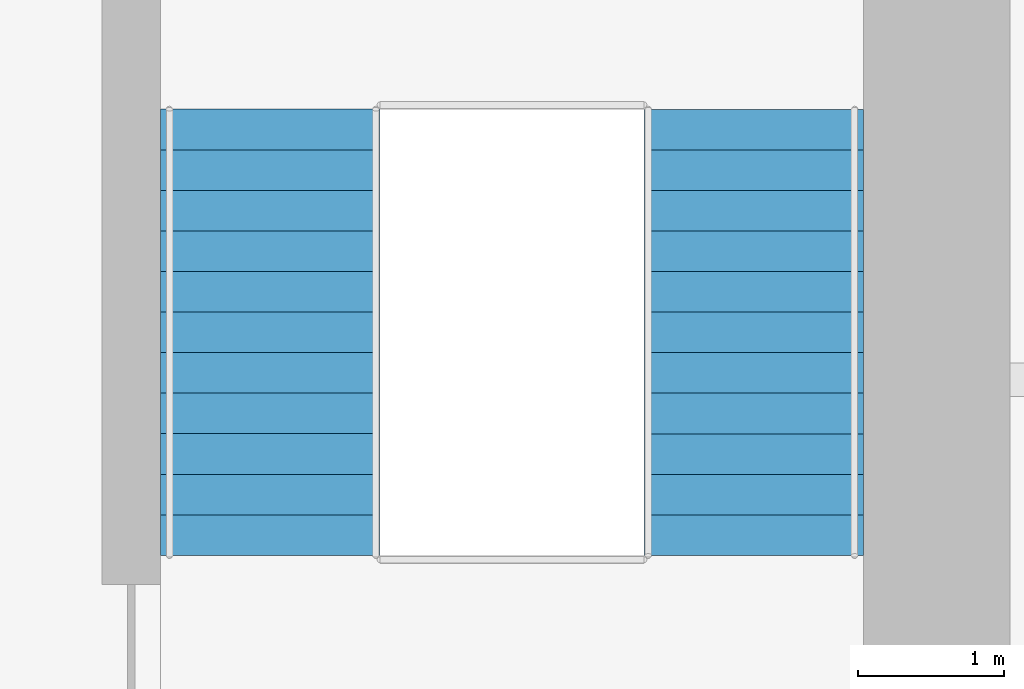
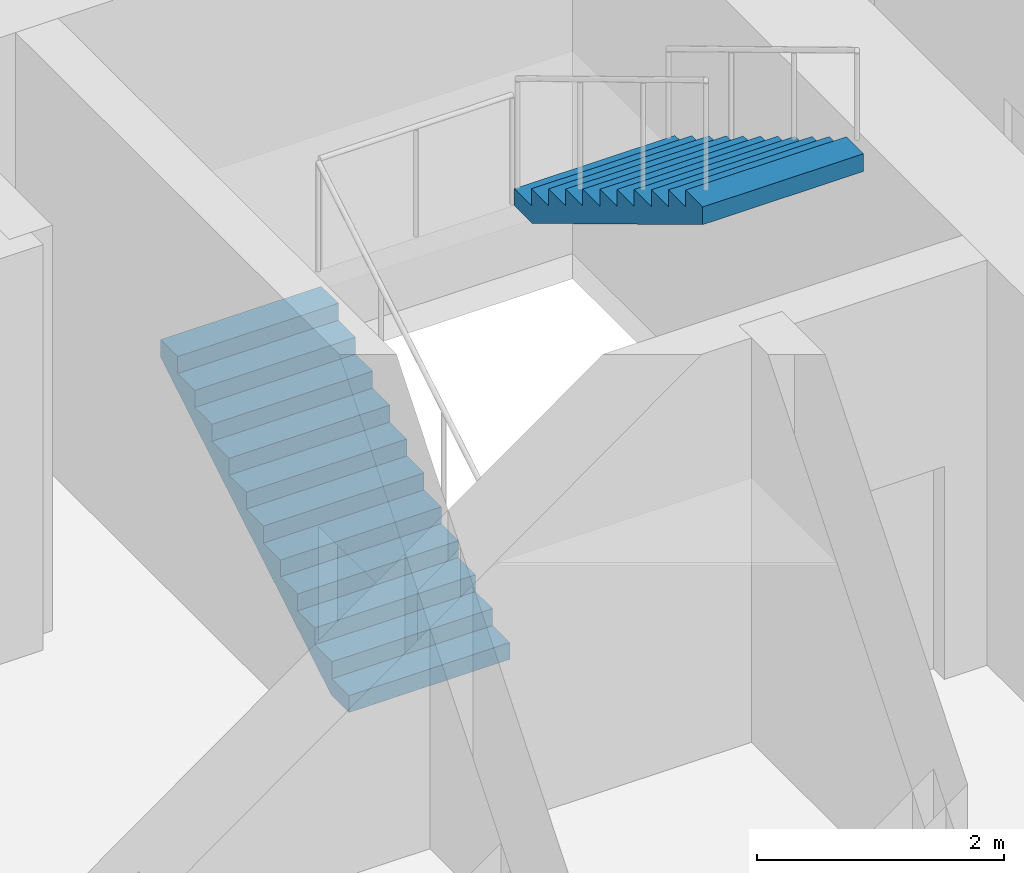
# One storey, part 13 of 15: 2 stair flights, 1 element without a shape of its own.
"""IFC4 building model written with IfcOpenShell, lengths in metres."""

from ifc_helpers import new_model, si_unit, direction, frame, origin, place, context, subcontext, project, spatial, polyline, outline, extrude, material, type_object, element, aggregate, save


model = new_model("IFC4")

# Units and contexts
model_context = context("Model", 3, precision=1e-05, world=origin(), true_north=direction((0.0, 1.0)))
body_context = subcontext(model_context, "Body", "Model", "MODEL_VIEW")
ifc_project = project(units=[si_unit("LENGTHUNIT", "METRE"), si_unit("AREAUNIT", "SQUARE_METRE"), si_unit("VOLUMEUNIT", "CUBIC_METRE"), si_unit("PLANEANGLEUNIT", "RADIAN"), si_unit("MASSUNIT", "GRAM", prefix="KILO")], contexts=[model_context])

# Site, building, storey
site_placement = place(None, origin())
site = spatial("IfcSite", under=ifc_project, at=site_placement, CompositionType="ELEMENT")
building_placement = place(site_placement, origin())
building = spatial("IfcBuilding", under=site, at=building_placement, Name="Tarangal Relay Tower", CompositionType="ELEMENT")
storey_placement = place(building_placement, frame((0.0, 0.0, 331.89990234375)))
storey = spatial("IfcBuildingStorey", under=building, at=storey_placement, Name="L74", CompositionType="ELEMENT", Elevation=331.89990234375)

# Stair, stair flights
ifc_material = material(Name="Steel ASTM A992 stair flight", Category="steel")
stair_type = type_object("IfcStairType", Name="Core stair 1500", PredefinedType="HALF_TURN_STAIR", material=ifc_material)
stair_placement = place(storey_placement, origin())
stair = element("IfcStair", 1, at=stair_placement, inside=storey, type_object=stair_type, Name="Stair ST-B L74", PredefinedType="HALF_TURN_STAIR")
stair_flight_type = type_object("IfcStairFlightType", Name="Steel stair flight 1500, 12 risers 167 x 277", PredefinedType="STRAIGHT", material=ifc_material)
stair_flight_1_placement = place(storey_placement, frame((6.949951171875, 6.300048828125, 0.0), z_axis=(0.0, 0.0, 1.0), x_axis=(0.0, 1.0, 0.0)))
stair_flight_1 = element("IfcStairFlight", 2, at=stair_flight_1_placement, type_object=stair_flight_type, Name="ST-B flight 1", NumberOfRisers=12, NumberOfTreads=11, PredefinedType="STRAIGHT", RiserHeight=0.166666667, TreadLength=0.277, context=body_context, shape_type="SweptSolid", body=[
    extrude(outline(polyline([(0.0, 0.0), (0.0, 0.166748046875), (0.277099609375, 0.166748046875), (0.277099609375, 0.333251953125), (0.553955078125, 0.333251953125), (0.553955078125, 0.5), (0.8310546875, 0.5), (0.8310546875, 0.666748046875), (1.10791015625, 0.666748046875), (1.10791015625, 0.833251953125), (1.385009765625, 0.833251953125), (1.385009765625, 1.0), (1.662109375, 1.0), (1.662109375, 1.166748046875), (1.93896484375, 1.166748046875), (1.93896484375, 1.333251953125), (2.216064453125, 1.333251953125), (2.216064453125, 1.5), (2.492919921875, 1.5), (2.492919921875, 1.666748046875), (2.77001953125, 1.666748046875), (2.77001953125, 1.833251953125), (3.047119140625, 1.833251953125), (3.047119140625, 2.0), (3.047119140625, 1.658447265625), (0.290771484375, 0.0), (0.0, 0.0)])), frame((0.0, 0.75, 0.0), z_axis=(0.0, -1.0, 0.0), x_axis=(1.0, 0.0, 0.0)), (0.0, 0.0, 1.0), 1.5),
])
stair_flight_2_placement = place(storey_placement, frame((10.25, 9.346923828125, 2.0), z_axis=(0.0, 0.0, 1.0), x_axis=(0.0, -1.0, 0.0)))
stair_flight_2 = element("IfcStairFlight", 3, at=stair_flight_2_placement, type_object=stair_flight_type, Name="ST-B flight 2", NumberOfRisers=12, NumberOfTreads=11, PredefinedType="STRAIGHT", RiserHeight=0.166666667, TreadLength=0.277, context=body_context, shape_type="SweptSolid", body=[
    extrude(outline(polyline([(0.0, 0.0), (0.0, 0.166748046875), (0.277099609375, 0.166748046875), (0.277099609375, 0.333251953125), (0.553955078125, 0.333251953125), (0.553955078125, 0.5), (0.8310546875, 0.5), (0.8310546875, 0.666748046875), (1.10791015625, 0.666748046875), (1.10791015625, 0.833251953125), (1.385009765625, 0.833251953125), (1.385009765625, 1.0), (1.662109375, 1.0), (1.662109375, 1.166748046875), (1.93896484375, 1.166748046875), (1.93896484375, 1.333251953125), (2.216064453125, 1.333251953125), (2.216064453125, 1.5), (2.492919921875, 1.5), (2.492919921875, 1.666748046875), (2.77001953125, 1.666748046875), (2.77001953125, 1.833251953125), (3.047119140625, 1.833251953125), (3.047119140625, 2.0), (3.047119140625, 1.658447265625), (0.290771484375, 0.0), (0.0, 0.0)])), frame((0.0, 0.75, 0.0), z_axis=(0.0, -1.0, 0.0), x_axis=(1.0, 0.0, 0.0)), (0.0, 0.0, 1.0), 1.5),
])
aggregate(stair, [stair_flight_1, stair_flight_2])

save(model, "model.ifc")
